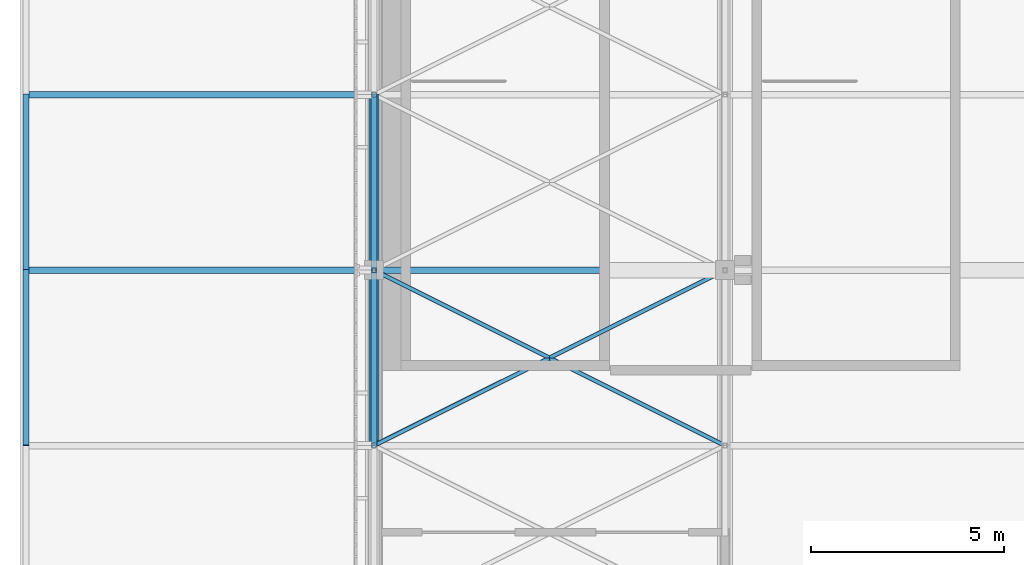
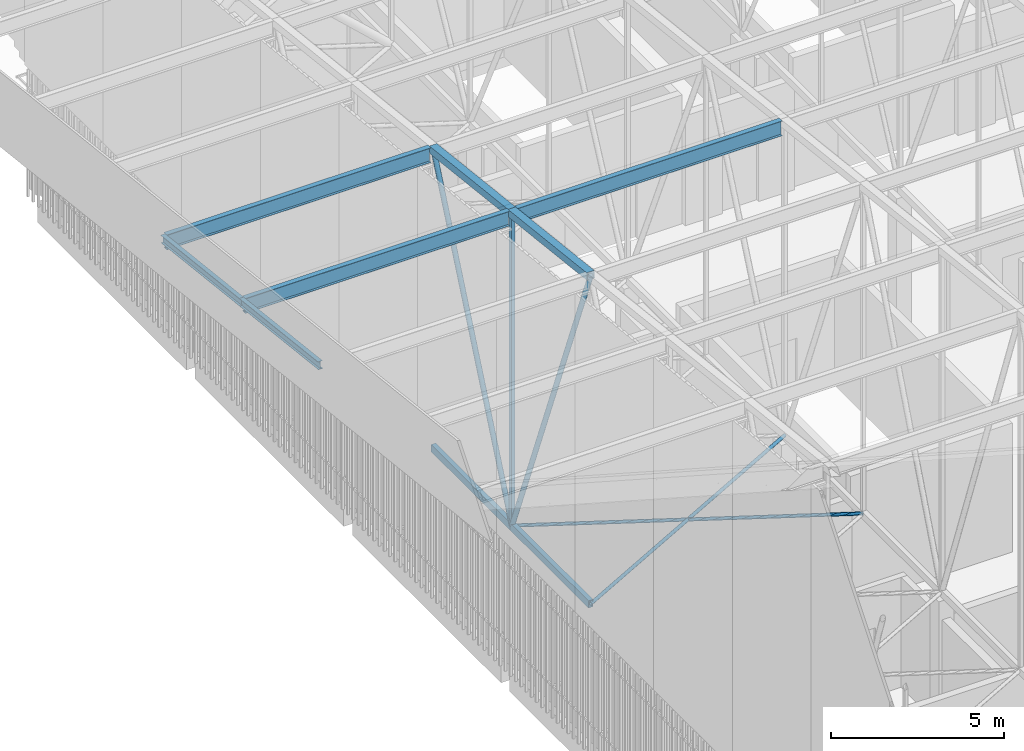
# One storey, part 181 of 500: 14 members.
"""IFC4 building model written with IfcOpenShell, lengths in metres."""

from ifc_helpers import new_model, si_unit, direction, frame, origin, origin_2d, place, context, subcontext, project, spatial, hollow_rectangle, hollow_circle, i_section, extrude, material, material_profile, profile_set, type_object, element, save


model = new_model("IFC4")

# Units and contexts
model_context = context("Model", 3, precision=1e-05, world=origin(), true_north=direction((0.0, 1.0)))
body_context = subcontext(model_context, "Body", "Model", "MODEL_VIEW")
ifc_project = project(units=[si_unit("LENGTHUNIT", "METRE"), si_unit("AREAUNIT", "SQUARE_METRE"), si_unit("VOLUMEUNIT", "CUBIC_METRE"), si_unit("PLANEANGLEUNIT", "RADIAN"), si_unit("MASSUNIT", "GRAM", prefix="KILO")], contexts=[model_context])

# Site, building, storey
site_placement = place(None, origin())
site = spatial("IfcSite", under=ifc_project, at=site_placement, CompositionType="ELEMENT")
building_placement = place(site_placement, origin())
building = spatial("IfcBuilding", under=site, at=building_placement, Name="Shirokan Park Arena", CompositionType="ELEMENT")
storey_placement = place(building_placement, frame((0.0, 0.0, 29.1201171875)))
storey = spatial("IfcBuildingStorey", under=building, at=storey_placement, Name="L06", CompositionType="ELEMENT", Elevation=29.1201171875)

# Members
ifc_material_1 = material(Name="Steel ASTM A500 Grade C", Category="steel")
ifc_material_profile_1 = material_profile(ifc_material_1, hollow_rectangle(XDim=0.152099609375, YDim=0.25390625, WallThickness=0.009521484375, at=origin_2d()), Name="HSS254X152.4X9.5")
ifc_profile_set_1 = profile_set([ifc_material_profile_1], Name="Steel ASTM A500 Grade C")
member_type_1 = type_object("IfcMemberType", Name="Bottom chord HSS254X152.4X9.5", PredefinedType="CHORD", material=ifc_profile_set_1)
member_1_placement = place(storey_placement, frame((0.0, 77.35009765625, 4.677001953125), z_axis=(0.0, 1.0, 0.0), x_axis=(-1.0, 0.0, 0.0)))
element("IfcMember", 1, at=member_1_placement, inside=storey, type_object=member_type_1, Name="Truss T01 bottom chord 20", PredefinedType="CHORD", context=body_context, shape_type="SweptSolid", body=[
    extrude(hollow_rectangle(XDim=0.152099609375, YDim=0.25390625, WallThickness=0.009521484375, at=origin_2d()), origin(), (0.0, 0.0, 1.0), 4.5498046875),
])
member_2_placement = place(storey_placement, frame((0.0, 81.89990234375, 4.677001953125), z_axis=(0.0, 1.0, 0.0), x_axis=(-1.0, 0.0, 0.0)))
element("IfcMember", 2, at=member_2_placement, inside=storey, type_object=member_type_1, Name="Truss T01 bottom chord 21", PredefinedType="CHORD", context=body_context, shape_type="SweptSolid", body=[
    extrude(hollow_rectangle(XDim=0.152099609375, YDim=0.25390625, WallThickness=0.009521484375, at=origin_2d()), origin(), (0.0, 0.0, 1.0), 4.550048828125),
])
ifc_material_profile_2 = material_profile(ifc_material_1, hollow_circle(Radius=0.056884765625, WallThickness=0.006103515625, at=origin_2d()), Name="HSS114.3X6")
ifc_profile_set_2 = profile_set([ifc_material_profile_2], Name="Steel ASTM A500 Grade C")
member_type_2 = type_object("IfcMemberType", Name="Plan bracing HSS114.3X6", PredefinedType="BRACE", material=ifc_profile_set_2)
for number, where, z_axis, x_axis, name in (
    (3, (0.0, 77.35009765625, 4.677001953125), (0.8944367893, 0.447194398385, 0.0), (-0.447194398385, 0.8944367893, 0.0), "Plan bracing bay 1 panel 20 A"),
    (4, (9.10009765625, 77.35009765625, 4.677001953125), (-0.8944367893, 0.447194398385, 0.0), (-0.447194398385, -0.8944367893, 0.0), "Plan bracing bay 1 panel 20 B"),
):
    element("IfcMember", number, at=place(storey_placement, frame(where, z_axis=z_axis, x_axis=x_axis)), inside=storey, type_object=member_type_2, Name=name, PredefinedType="BRACE", context=body_context, shape_type="SweptSolid", body=[
        extrude(hollow_circle(Radius=0.056884765625, WallThickness=0.006103515625, at=origin_2d()), origin(), (0.0, 0.0, 1.0), 10.174072265625),
    ])
ifc_material_2 = material(Name="Steel ASTM A992", Category="steel")
ifc_material_profile_3 = material_profile(ifc_material_2, i_section(OverallWidth=0.166015625, OverallDepth=0.528076171875, WebThickness=0.009765625, FlangeThickness=0.013671875, at=origin_2d()), Name="W530X74")
ifc_profile_set_3 = profile_set([ifc_material_profile_3], Name="Steel ASTM A992")
member_type_3 = type_object("IfcMemberType", Name="Purlin W530X74", PredefinedType="PURLIN", material=ifc_profile_set_3)
member_3_placement = place(storey_placement, frame((0.126953125, 81.89990234375, 15.60595703125), z_axis=(1.0, 0.0, 0.0), x_axis=(0.0, 1.0, 0.0)))
element("IfcMember", 5, at=member_3_placement, inside=storey, type_object=member_type_3, Name="Purlin 21 bay 1", PredefinedType="PURLIN", context=body_context, shape_type="SweptSolid", body=[
    extrude(i_section(OverallWidth=0.166015625, OverallDepth=0.528076171875, WebThickness=0.009765625, FlangeThickness=0.013671875, at=origin_2d()), origin(), (0.0, 0.0, 1.0), 8.845947265625),
])
for number, where, z_axis, x_axis, name in (
    (6, (-8.951904296875, 81.89990234375, 15.60595703125), (1.0, 0.0, 0.0), (0.0, 1.0, 0.0), "Eave purlin west 21"),
    (7, (-8.951904296875, 86.449951171875, 15.0859375), (1.0, 0.0, 0.0), (0.0, 1.0, 0.0), "Eave purlin west 22"),
):
    element("IfcMember", number, at=place(storey_placement, frame(where, z_axis=z_axis, x_axis=x_axis)), inside=storey, type_object=member_type_3, Name=name, PredefinedType="PURLIN", context=body_context, shape_type="SweptSolid", body=[
        extrude(i_section(OverallWidth=0.166015625, OverallDepth=0.528076171875, WebThickness=0.009765625, FlangeThickness=0.013671875, at=origin_2d()), origin(), (0.0, 0.0, 1.0), 8.824951171875),
    ])
ifc_material_profile_4 = material_profile(ifc_material_2, i_section(OverallWidth=0.14794921875, OverallDepth=0.26708984375, WebThickness=0.007568359375, FlangeThickness=0.012939453125, at=origin_2d()), Name="W250X44.8")
ifc_profile_set_4 = profile_set([ifc_material_profile_4], Name="Steel ASTM A992")
member_type_4 = type_object("IfcMemberType", Name="Roof edge beam W250X44.8", PredefinedType="USERDEFINED", material=ifc_profile_set_4)
member_4_placement = place(storey_placement, frame((-9.02587890625, 77.35009765625, 16.25634765625), z_axis=(0.0, 0.993531641592, -0.11355561261), x_axis=(-1.0, 0.0, 0.0)))
element("IfcMember", 8, at=member_4_placement, inside=storey, type_object=member_type_4, Name="Roof edge beam W 20", ObjectType="ROOF EDGE BEAM", PredefinedType="USERDEFINED", context=body_context, shape_type="SweptSolid", body=[
    extrude(i_section(OverallWidth=0.14794921875, OverallDepth=0.26708984375, WebThickness=0.007568359375, FlangeThickness=0.012939453125, at=origin_2d()), origin(), (0.0, 0.0, 1.0), 4.579345703125),
])
member_5_placement = place(storey_placement, frame((-9.02587890625, 81.89990234375, 15.736328125), z_axis=(0.0, 0.993532328996, -0.113549598152), x_axis=(-1.0, 0.0, 0.0)))
element("IfcMember", 9, at=member_5_placement, inside=storey, type_object=member_type_4, Name="Roof edge beam W 21", ObjectType="ROOF EDGE BEAM", PredefinedType="USERDEFINED", context=body_context, shape_type="SweptSolid", body=[
    extrude(i_section(OverallWidth=0.14794921875, OverallDepth=0.26708984375, WebThickness=0.007568359375, FlangeThickness=0.012939453125, at=origin_2d()), origin(), (0.0, 0.0, 1.0), 4.57958984375),
])
ifc_material_profile_5 = material_profile(ifc_material_1, hollow_rectangle(XDim=0.25390625, YDim=0.25390625, WallThickness=0.009521484375, at=origin_2d()), Name="HSS254X254X9.5")
ifc_profile_set_5 = profile_set([ifc_material_profile_5], Name="Steel ASTM A500 Grade C")
member_type_5 = type_object("IfcMemberType", Name="Top chord HSS254X254X9.5", PredefinedType="CHORD", material=ifc_profile_set_5)
member_6_placement = place(storey_placement, frame((0.0, 77.35009765625, 16.262939453125), z_axis=(0.0, 0.993531641592, -0.11355561261), x_axis=(-1.0, 0.0, 0.0)))
element("IfcMember", 10, at=member_6_placement, inside=storey, type_object=member_type_5, Name="Truss T01 top chord 20", PredefinedType="CHORD", context=body_context, shape_type="SweptSolid", body=[
    extrude(hollow_rectangle(XDim=0.25390625, YDim=0.25390625, WallThickness=0.009521484375, at=origin_2d()), origin(), (0.0, 0.0, 1.0), 4.579345703125),
])
member_7_placement = place(storey_placement, frame((0.0, 81.89990234375, 15.742919921875), z_axis=(0.0, 0.993532328996, -0.113549598152), x_axis=(-1.0, 0.0, 0.0)))
element("IfcMember", 11, at=member_7_placement, inside=storey, type_object=member_type_5, Name="Truss T01 top chord 21", PredefinedType="CHORD", context=body_context, shape_type="SweptSolid", body=[
    extrude(hollow_rectangle(XDim=0.25390625, YDim=0.25390625, WallThickness=0.009521484375, at=origin_2d()), origin(), (0.0, 0.0, 1.0), 4.57958984375),
])
ifc_material_profile_6 = material_profile(ifc_material_1, hollow_circle(Radius=0.083984375, WallThickness=0.009521484375, at=origin_2d()), Name="HSS168.3X9.5")
ifc_profile_set_6 = profile_set([ifc_material_profile_6], Name="Steel ASTM A500 Grade C")
member_type_6 = type_object("IfcMemberType", Name="Truss diagonal HSS168.3X9.5", PredefinedType="BRACE", material=ifc_profile_set_6)
member_8_placement = place(storey_placement, frame((0.0, 77.35009765625, 16.262939453125), z_axis=(0.0, 0.365526146051, -0.930801072493), x_axis=(-1.0, 0.0, 0.0)))
element("IfcMember", 12, at=member_8_placement, inside=storey, type_object=member_type_6, Name="Truss T01 diagonal 20", PredefinedType="BRACE", context=body_context, shape_type="SweptSolid", body=[
    extrude(hollow_circle(Radius=0.083984375, WallThickness=0.009521484375, at=origin_2d()), origin(), (0.0, 0.0, 1.0), 12.447265625),
])
member_9_placement = place(storey_placement, frame((0.0, 81.89990234375, 4.677001953125), z_axis=(0.0, 0.396152605513, 0.918184683572), x_axis=(-1.0, 0.0, 0.0)))
element("IfcMember", 13, at=member_9_placement, inside=storey, type_object=member_type_6, Name="Truss T01 diagonal 21", PredefinedType="BRACE", context=body_context, shape_type="SweptSolid", body=[
    extrude(hollow_circle(Radius=0.083984375, WallThickness=0.009521484375, at=origin_2d()), origin(), (0.0, 0.0, 1.0), 11.485595703125),
])
ifc_material_profile_7 = material_profile(ifc_material_1, hollow_rectangle(XDim=0.126953125, YDim=0.126953125, WallThickness=0.0126953125, at=origin_2d()), Name="HSS127X127X12.7")
ifc_profile_set_7 = profile_set([ifc_material_profile_7], Name="Steel ASTM A500 Grade C")
member_type_7 = type_object("IfcMemberType", Name="Truss post HSS127X127X12.7", PredefinedType="POST", material=ifc_profile_set_7)
member_10_placement = place(storey_placement, frame((0.0, 81.89990234375, 4.677001953125), z_axis=(0.0, 0.0, 1.0), x_axis=(1.0, 0.0, 0.0)))
element("IfcMember", 14, at=member_10_placement, inside=storey, type_object=member_type_7, Name="Truss T01 post 21", PredefinedType="POST", context=body_context, shape_type="SweptSolid", body=[
    extrude(hollow_rectangle(XDim=0.126953125, YDim=0.126953125, WallThickness=0.0126953125, at=origin_2d()), origin(), (0.0, 0.0, 1.0), 11.06591796875),
])

save(model, "model.ifc")
